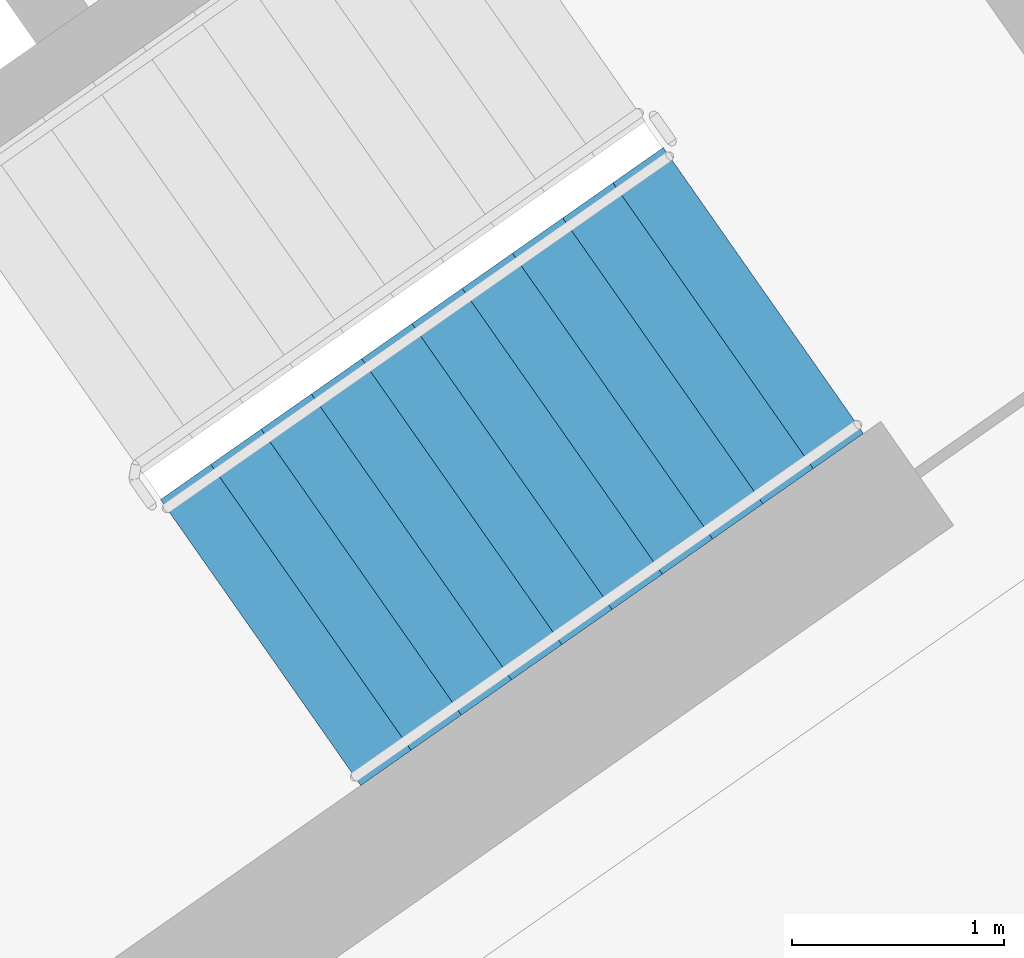
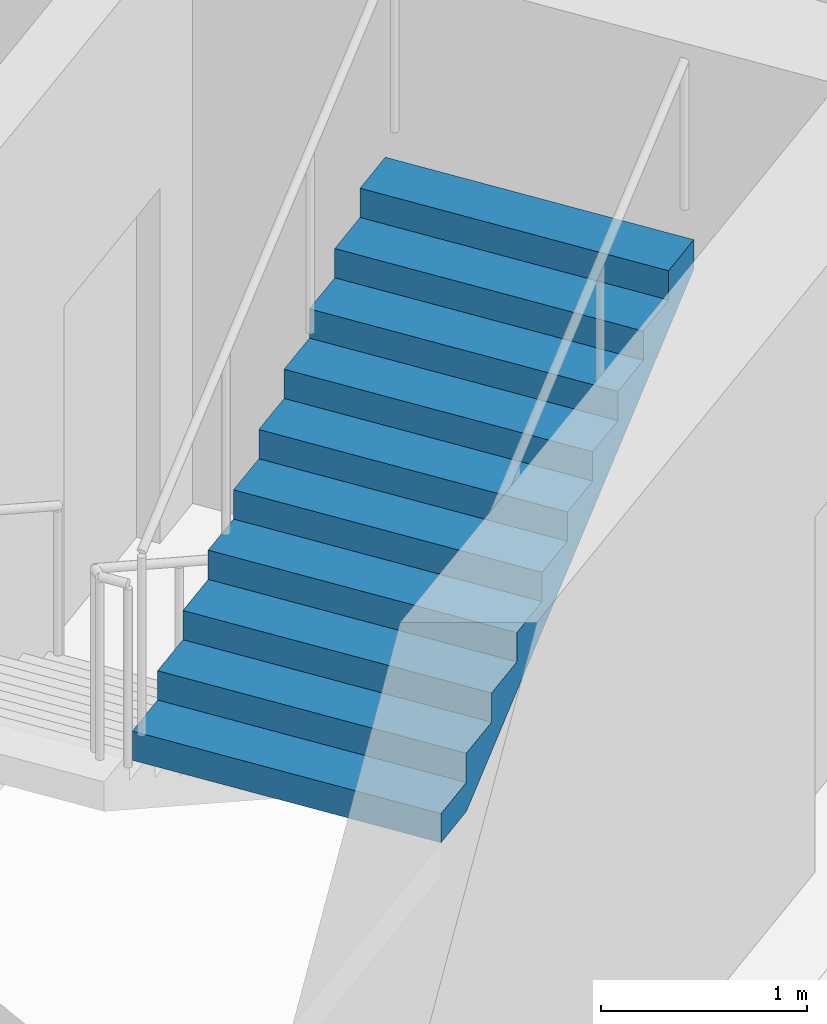
# One storey, part 13 of 26: 1 stair flight, 1 element without a shape of its own.
"""IFC4 building model written with IfcOpenShell, lengths in metres."""

from ifc_helpers import new_model, si_unit, direction, frame, origin, place, context, subcontext, project, spatial, faceted_brep, material, type_object, element, aggregate, save


model = new_model("IFC4")

# Units and contexts
model_context = context("Model", 3, precision=1e-05, world=origin(), true_north=direction((0.0, 1.0)))
body_context = subcontext(model_context, "Body", "Model", "MODEL_VIEW")
ifc_project = project(units=[si_unit("LENGTHUNIT", "METRE"), si_unit("AREAUNIT", "SQUARE_METRE"), si_unit("VOLUMEUNIT", "CUBIC_METRE"), si_unit("PLANEANGLEUNIT", "RADIAN"), si_unit("MASSUNIT", "GRAM", prefix="KILO")], contexts=[model_context])

# Site, building, storey
site_placement = place(None, origin())
site = spatial("IfcSite", under=ifc_project, at=site_placement, CompositionType="ELEMENT")
building_placement = place(site_placement, origin())
building = spatial("IfcBuilding", under=site, at=building_placement, Name="Qamariyya Broadcast Tower", CompositionType="ELEMENT")
storey_placement = place(building_placement, frame((0.0, 0.0, 160.699951171875)))
storey = spatial("IfcBuildingStorey", under=building, at=storey_placement, Name="L37", CompositionType="ELEMENT", Elevation=160.699951171875)

# Stair, stair flight
ifc_material = material(Name="Concrete C50/60", Category="concrete")
stair_type = type_object("IfcStairType", Name="Exit stair 22 risers of 173 mm", PredefinedType="HALF_TURN_STAIR", material=ifc_material)
stair_placement = place(storey_placement, origin())
stair = element("IfcStair", 1, at=stair_placement, inside=storey, type_object=stair_type, Name="L37 Stair E1", PredefinedType="HALF_TURN_STAIR")
stair_flight_type = type_object("IfcStairFlightType", Name="Exit stair flight 11 risers of 173 mm", PredefinedType="STRAIGHT", material=ifc_material)
stair_flight_placement = place(storey_placement, frame((44.693359375, -58.64599609375, 1.900146484375), z_axis=(0.0, 0.0, 1.0), x_axis=(0.819152044289, 0.573576436351, 0.0)))
stair_flight = element("IfcStairFlight", 2, at=stair_flight_placement, type_object=stair_flight_type, Name="ST-E1 flight 2", NumberOfRisers=11, NumberOfTreads=10, PredefinedType="STRAIGHT", RiserHeight=0.172727273, TreadLength=0.29, context=body_context, shape_type="Brep", body=[
    faceted_brep([(0.0, 0.824951171875, 0.0), (0.0, 0.824951171875, 0.172607421875), (0.2900390625, 0.824951171875, 0.172607421875), (0.2900390625, 0.824951171875, 0.345458984375), (0.580078125, 0.824951171875, 0.345458984375), (0.580078125, 0.824951171875, 0.51806640625), (0.8701171875, 0.824951171875, 0.51806640625), (0.8701171875, 0.824951171875, 0.69091796875), (1.159912109375, 0.824951171875, 0.69091796875), (1.159912109375, 0.824951171875, 0.863525390625), (1.449951171875, 0.824951171875, 0.863525390625), (1.449951171875, 0.824951171875, 1.036376953125), (1.739990234375, 0.824951171875, 1.036376953125), (1.739990234375, 0.824951171875, 1.208984375), (2.030029296875, 0.824951171875, 1.208984375), (2.030029296875, 0.824951171875, 1.3818359375), (2.320068359375, 0.824951171875, 1.3818359375), (2.320068359375, 0.824951171875, 1.554443359375), (2.610107421875, 0.824951171875, 1.554443359375), (2.610107421875, 0.824951171875, 1.727294921875), (2.89990234375, 0.824951171875, 1.727294921875), (2.89990234375, 0.824951171875, 1.552734375), (0.29296875, 0.824951171875, 0.0), (0.29296875, -0.824951171875, 0.0), (2.89990234375, -0.824951171875, 1.552734375), (2.89990234375, -0.824951171875, 1.727294921875), (2.610107421875, -0.824951171875, 1.727294921875), (2.610107421875, -0.824951171875, 1.554443359375), (2.320068359375, -0.824951171875, 1.554443359375), (2.320068359375, -0.824951171875, 1.3818359375), (2.030029296875, -0.824951171875, 1.3818359375), (2.030029296875, -0.824951171875, 1.208984375), (1.739990234375, -0.824951171875, 1.208984375), (1.739990234375, -0.824951171875, 1.036376953125), (1.449951171875, -0.824951171875, 1.036376953125), (1.449951171875, -0.824951171875, 0.863525390625), (1.159912109375, -0.824951171875, 0.863525390625), (1.159912109375, -0.824951171875, 0.69091796875), (0.8701171875, -0.824951171875, 0.69091796875), (0.8701171875, -0.824951171875, 0.51806640625), (0.580078125, -0.824951171875, 0.51806640625), (0.580078125, -0.824951171875, 0.345458984375), (0.2900390625, -0.824951171875, 0.345458984375), (0.2900390625, -0.824951171875, 0.172607421875), (0.0, -0.824951171875, 0.172607421875), (0.0, -0.824951171875, 0.0), (0.0, 0.10009765625, 0.0), (0.0, 0.086669921875, 0.0), (0.0, 0.0732421875, 0.0), (0.0, 0.06005859375, 0.0), (0.0, 0.046630859375, 0.0), (0.0, 0.033447265625, 0.0), (0.0, 0.02001953125, 0.0), (0.0, 0.006591796875, 0.0), (0.0, -0.006591796875, 0.0), (0.0, -0.02001953125, 0.0), (0.0, -0.033447265625, 0.0), (0.0, -0.046630859375, 0.0), (0.0, -0.06005859375, 0.0), (0.0, -0.0732421875, 0.0), (0.0, -0.086669921875, 0.0), (0.0, -0.10009765625, 0.0), (0.0, -0.10009765625, 0.172607421875), (0.0, -0.086669921875, 0.172607421875), (0.0, -0.0732421875, 0.172607421875), (0.0, -0.06005859375, 0.172607421875), (0.0, -0.046630859375, 0.172607421875), (0.0, -0.033447265625, 0.172607421875), (0.0, -0.02001953125, 0.172607421875), (0.0, -0.006591796875, 0.172607421875), (0.0, 0.006591796875, 0.172607421875), (0.0, 0.02001953125, 0.172607421875), (0.0, 0.033447265625, 0.172607421875), (0.0, 0.046630859375, 0.172607421875), (0.0, 0.06005859375, 0.172607421875), (0.0, 0.0732421875, 0.172607421875), (0.0, 0.086669921875, 0.172607421875), (0.0, 0.10009765625, 0.172607421875), (0.2900390625, -0.10009765625, 0.172607421875), (0.2900390625, -0.086669921875, 0.172607421875), (0.2900390625, -0.0732421875, 0.172607421875), (0.2900390625, -0.06005859375, 0.172607421875), (0.2900390625, -0.046630859375, 0.172607421875), (0.2900390625, -0.033447265625, 0.172607421875), (0.2900390625, -0.02001953125, 0.172607421875), (0.2900390625, -0.006591796875, 0.172607421875), (0.2900390625, 0.006591796875, 0.172607421875), (0.2900390625, 0.02001953125, 0.172607421875), (0.2900390625, 0.033447265625, 0.172607421875), (0.2900390625, 0.046630859375, 0.172607421875), (0.2900390625, 0.06005859375, 0.172607421875), (0.2900390625, 0.0732421875, 0.172607421875), (0.2900390625, 0.086669921875, 0.172607421875), (0.2900390625, 0.10009765625, 0.172607421875), (0.2900390625, -0.10009765625, 0.345458984375), (0.2900390625, -0.086669921875, 0.345458984375), (0.2900390625, -0.0732421875, 0.345458984375), (0.2900390625, -0.06005859375, 0.345458984375), (0.2900390625, -0.046630859375, 0.345458984375), (0.2900390625, -0.033447265625, 0.345458984375), (0.2900390625, -0.02001953125, 0.345458984375), (0.2900390625, -0.006591796875, 0.345458984375), (0.2900390625, 0.006591796875, 0.345458984375), (0.2900390625, 0.02001953125, 0.345458984375), (0.2900390625, 0.033447265625, 0.345458984375), (0.2900390625, 0.046630859375, 0.345458984375), (0.2900390625, 0.06005859375, 0.345458984375), (0.2900390625, 0.0732421875, 0.345458984375), (0.2900390625, 0.086669921875, 0.345458984375), (0.2900390625, 0.10009765625, 0.345458984375), (0.580078125, -0.10009765625, 0.345458984375), (0.580078125, -0.086669921875, 0.345458984375), (0.580078125, -0.0732421875, 0.345458984375), (0.580078125, -0.06005859375, 0.345458984375), (0.580078125, -0.046630859375, 0.345458984375), (0.580078125, -0.033447265625, 0.345458984375), (0.580078125, -0.02001953125, 0.345458984375), (0.580078125, -0.006591796875, 0.345458984375), (0.580078125, 0.006591796875, 0.345458984375), (0.580078125, 0.02001953125, 0.345458984375), (0.580078125, 0.033447265625, 0.345458984375), (0.580078125, 0.046630859375, 0.345458984375), (0.580078125, 0.06005859375, 0.345458984375), (0.580078125, 0.0732421875, 0.345458984375), (0.580078125, 0.086669921875, 0.345458984375), (0.580078125, 0.10009765625, 0.345458984375), (0.580078125, -0.10009765625, 0.51806640625), (0.580078125, -0.086669921875, 0.51806640625), (0.580078125, -0.0732421875, 0.51806640625), (0.580078125, -0.06005859375, 0.51806640625), (0.580078125, -0.046630859375, 0.51806640625), (0.580078125, -0.033447265625, 0.51806640625), (0.580078125, -0.02001953125, 0.51806640625), (0.580078125, -0.006591796875, 0.51806640625), (0.580078125, 0.006591796875, 0.51806640625), (0.580078125, 0.02001953125, 0.51806640625), (0.580078125, 0.033447265625, 0.51806640625), (0.580078125, 0.046630859375, 0.51806640625), (0.580078125, 0.06005859375, 0.51806640625), (0.580078125, 0.0732421875, 0.51806640625), (0.580078125, 0.086669921875, 0.51806640625), (0.580078125, 0.10009765625, 0.51806640625), (0.8701171875, -0.10009765625, 0.51806640625), (0.8701171875, -0.086669921875, 0.51806640625), (0.8701171875, -0.0732421875, 0.51806640625), (0.8701171875, -0.06005859375, 0.51806640625), (0.8701171875, -0.046630859375, 0.51806640625), (0.8701171875, -0.033447265625, 0.51806640625), (0.8701171875, -0.02001953125, 0.51806640625), (0.8701171875, -0.006591796875, 0.51806640625), (0.8701171875, 0.006591796875, 0.51806640625), (0.8701171875, 0.02001953125, 0.51806640625), (0.8701171875, 0.033447265625, 0.51806640625), (0.8701171875, 0.046630859375, 0.51806640625), (0.8701171875, 0.06005859375, 0.51806640625), (0.8701171875, 0.0732421875, 0.51806640625), (0.8701171875, 0.086669921875, 0.51806640625), (0.8701171875, 0.10009765625, 0.51806640625), (0.8701171875, -0.10009765625, 0.69091796875), (0.8701171875, -0.086669921875, 0.69091796875), (0.8701171875, -0.0732421875, 0.69091796875), (0.8701171875, -0.06005859375, 0.69091796875), (0.8701171875, -0.046630859375, 0.69091796875), (0.8701171875, -0.033447265625, 0.69091796875), (0.8701171875, -0.02001953125, 0.69091796875), (0.8701171875, -0.006591796875, 0.69091796875), (0.8701171875, 0.006591796875, 0.69091796875), (0.8701171875, 0.02001953125, 0.69091796875), (0.8701171875, 0.033447265625, 0.69091796875), (0.8701171875, 0.046630859375, 0.69091796875), (0.8701171875, 0.06005859375, 0.69091796875), (0.8701171875, 0.0732421875, 0.69091796875), (0.8701171875, 0.086669921875, 0.69091796875), (0.8701171875, 0.10009765625, 0.69091796875), (1.159912109375, -0.10009765625, 0.69091796875), (1.159912109375, -0.086669921875, 0.69091796875), (1.159912109375, -0.0732421875, 0.69091796875), (1.159912109375, -0.06005859375, 0.69091796875), (1.159912109375, -0.046630859375, 0.69091796875), (1.159912109375, -0.033447265625, 0.69091796875), (1.159912109375, -0.02001953125, 0.69091796875), (1.159912109375, -0.006591796875, 0.69091796875), (1.159912109375, 0.006591796875, 0.69091796875), (1.159912109375, 0.02001953125, 0.69091796875), (1.159912109375, 0.033447265625, 0.69091796875), (1.159912109375, 0.046630859375, 0.69091796875), (1.159912109375, 0.06005859375, 0.69091796875), (1.159912109375, 0.0732421875, 0.69091796875), (1.159912109375, 0.086669921875, 0.69091796875), (1.159912109375, 0.10009765625, 0.69091796875), (1.159912109375, -0.10009765625, 0.863525390625), (1.159912109375, -0.086669921875, 0.863525390625), (1.159912109375, -0.0732421875, 0.863525390625), (1.159912109375, -0.06005859375, 0.863525390625), (1.159912109375, -0.046630859375, 0.863525390625), (1.159912109375, -0.033447265625, 0.863525390625), (1.159912109375, -0.02001953125, 0.863525390625), (1.159912109375, -0.006591796875, 0.863525390625), (1.159912109375, 0.006591796875, 0.863525390625), (1.159912109375, 0.02001953125, 0.863525390625), (1.159912109375, 0.033447265625, 0.863525390625), (1.159912109375, 0.046630859375, 0.863525390625), (1.159912109375, 0.06005859375, 0.863525390625), (1.159912109375, 0.0732421875, 0.863525390625), (1.159912109375, 0.086669921875, 0.863525390625), (1.159912109375, 0.10009765625, 0.863525390625), (1.449951171875, -0.10009765625, 0.863525390625), (1.449951171875, -0.086669921875, 0.863525390625), (1.449951171875, -0.0732421875, 0.863525390625), (1.449951171875, -0.06005859375, 0.863525390625), (1.449951171875, -0.046630859375, 0.863525390625), (1.449951171875, -0.033447265625, 0.863525390625), (1.449951171875, -0.02001953125, 0.863525390625), (1.449951171875, -0.006591796875, 0.863525390625), (1.449951171875, 0.006591796875, 0.863525390625), (1.449951171875, 0.02001953125, 0.863525390625), (1.449951171875, 0.033447265625, 0.863525390625), (1.449951171875, 0.046630859375, 0.863525390625), (1.449951171875, 0.06005859375, 0.863525390625), (1.449951171875, 0.0732421875, 0.863525390625), (1.449951171875, 0.086669921875, 0.863525390625), (1.449951171875, 0.10009765625, 0.863525390625), (1.449951171875, -0.10009765625, 1.036376953125), (1.449951171875, -0.086669921875, 1.036376953125), (1.449951171875, -0.0732421875, 1.036376953125), (1.449951171875, -0.06005859375, 1.036376953125), (1.449951171875, -0.046630859375, 1.036376953125), (1.449951171875, -0.033447265625, 1.036376953125), (1.449951171875, -0.02001953125, 1.036376953125), (1.449951171875, -0.006591796875, 1.036376953125), (1.449951171875, 0.006591796875, 1.036376953125), (1.449951171875, 0.02001953125, 1.036376953125), (1.449951171875, 0.033447265625, 1.036376953125), (1.449951171875, 0.046630859375, 1.036376953125), (1.449951171875, 0.06005859375, 1.036376953125), (1.449951171875, 0.0732421875, 1.036376953125), (1.449951171875, 0.086669921875, 1.036376953125), (1.449951171875, 0.10009765625, 1.036376953125), (1.739990234375, -0.10009765625, 1.036376953125), (1.739990234375, -0.086669921875, 1.036376953125), (1.739990234375, -0.0732421875, 1.036376953125), (1.739990234375, -0.06005859375, 1.036376953125), (1.739990234375, -0.046630859375, 1.036376953125), (1.739990234375, -0.033447265625, 1.036376953125), (1.739990234375, -0.02001953125, 1.036376953125), (1.739990234375, -0.006591796875, 1.036376953125), (1.739990234375, 0.006591796875, 1.036376953125), (1.739990234375, 0.02001953125, 1.036376953125), (1.739990234375, 0.033447265625, 1.036376953125), (1.739990234375, 0.046630859375, 1.036376953125), (1.739990234375, 0.06005859375, 1.036376953125), (1.739990234375, 0.0732421875, 1.036376953125), (1.739990234375, 0.086669921875, 1.036376953125), (1.739990234375, 0.10009765625, 1.036376953125), (1.739990234375, -0.10009765625, 1.208984375), (1.739990234375, -0.086669921875, 1.208984375), (1.739990234375, -0.0732421875, 1.208984375), (1.739990234375, -0.06005859375, 1.208984375), (1.739990234375, -0.046630859375, 1.208984375), (1.739990234375, -0.033447265625, 1.208984375), (1.739990234375, -0.02001953125, 1.208984375), (1.739990234375, -0.006591796875, 1.208984375), (1.739990234375, 0.006591796875, 1.208984375), (1.739990234375, 0.02001953125, 1.208984375), (1.739990234375, 0.033447265625, 1.208984375), (1.739990234375, 0.046630859375, 1.208984375), (1.739990234375, 0.06005859375, 1.208984375), (1.739990234375, 0.0732421875, 1.208984375), (1.739990234375, 0.086669921875, 1.208984375), (1.739990234375, 0.10009765625, 1.208984375), (2.030029296875, -0.10009765625, 1.208984375), (2.030029296875, -0.086669921875, 1.208984375), (2.030029296875, -0.0732421875, 1.208984375), (2.030029296875, -0.06005859375, 1.208984375), (2.030029296875, -0.046630859375, 1.208984375), (2.030029296875, -0.033447265625, 1.208984375), (2.030029296875, -0.02001953125, 1.208984375), (2.030029296875, -0.006591796875, 1.208984375), (2.030029296875, 0.006591796875, 1.208984375), (2.030029296875, 0.02001953125, 1.208984375), (2.030029296875, 0.033447265625, 1.208984375), (2.030029296875, 0.046630859375, 1.208984375), (2.030029296875, 0.06005859375, 1.208984375), (2.030029296875, 0.0732421875, 1.208984375), (2.030029296875, 0.086669921875, 1.208984375), (2.030029296875, 0.10009765625, 1.208984375), (2.030029296875, -0.10009765625, 1.3818359375), (2.030029296875, -0.086669921875, 1.3818359375), (2.030029296875, -0.0732421875, 1.3818359375), (2.030029296875, -0.06005859375, 1.3818359375), (2.030029296875, -0.046630859375, 1.3818359375), (2.030029296875, -0.033447265625, 1.3818359375), (2.030029296875, -0.02001953125, 1.3818359375), (2.030029296875, -0.006591796875, 1.3818359375), (2.030029296875, 0.006591796875, 1.3818359375), (2.030029296875, 0.02001953125, 1.3818359375), (2.030029296875, 0.033447265625, 1.3818359375), (2.030029296875, 0.046630859375, 1.3818359375), (2.030029296875, 0.06005859375, 1.3818359375), (2.030029296875, 0.0732421875, 1.3818359375), (2.030029296875, 0.086669921875, 1.3818359375), (2.030029296875, 0.10009765625, 1.3818359375), (2.320068359375, -0.10009765625, 1.3818359375), (2.320068359375, -0.086669921875, 1.3818359375), (2.320068359375, -0.0732421875, 1.3818359375), (2.320068359375, -0.06005859375, 1.3818359375), (2.320068359375, -0.046630859375, 1.3818359375), (2.320068359375, -0.033447265625, 1.3818359375), (2.320068359375, -0.02001953125, 1.3818359375), (2.320068359375, -0.006591796875, 1.3818359375), (2.320068359375, 0.006591796875, 1.3818359375), (2.320068359375, 0.02001953125, 1.3818359375), (2.320068359375, 0.033447265625, 1.3818359375), (2.320068359375, 0.046630859375, 1.3818359375), (2.320068359375, 0.06005859375, 1.3818359375), (2.320068359375, 0.0732421875, 1.3818359375), (2.320068359375, 0.086669921875, 1.3818359375), (2.320068359375, 0.10009765625, 1.3818359375), (2.320068359375, -0.10009765625, 1.554443359375), (2.320068359375, -0.086669921875, 1.554443359375), (2.320068359375, -0.0732421875, 1.554443359375), (2.320068359375, -0.06005859375, 1.554443359375), (2.320068359375, -0.046630859375, 1.554443359375), (2.320068359375, -0.033447265625, 1.554443359375), (2.320068359375, -0.02001953125, 1.554443359375), (2.320068359375, -0.006591796875, 1.554443359375), (2.320068359375, 0.006591796875, 1.554443359375), (2.320068359375, 0.02001953125, 1.554443359375), (2.320068359375, 0.033447265625, 1.554443359375), (2.320068359375, 0.046630859375, 1.554443359375), (2.320068359375, 0.06005859375, 1.554443359375), (2.320068359375, 0.0732421875, 1.554443359375), (2.320068359375, 0.086669921875, 1.554443359375), (2.320068359375, 0.10009765625, 1.554443359375), (2.610107421875, -0.10009765625, 1.554443359375), (2.610107421875, -0.086669921875, 1.554443359375), (2.610107421875, -0.0732421875, 1.554443359375), (2.610107421875, -0.06005859375, 1.554443359375), (2.610107421875, -0.046630859375, 1.554443359375), (2.610107421875, -0.033447265625, 1.554443359375), (2.610107421875, -0.02001953125, 1.554443359375), (2.610107421875, -0.006591796875, 1.554443359375), (2.610107421875, 0.006591796875, 1.554443359375), (2.610107421875, 0.02001953125, 1.554443359375), (2.610107421875, 0.033447265625, 1.554443359375), (2.610107421875, 0.046630859375, 1.554443359375), (2.610107421875, 0.06005859375, 1.554443359375), (2.610107421875, 0.0732421875, 1.554443359375), (2.610107421875, 0.086669921875, 1.554443359375), (2.610107421875, 0.10009765625, 1.554443359375), (2.610107421875, -0.10009765625, 1.727294921875), (2.610107421875, -0.086669921875, 1.727294921875), (2.610107421875, -0.0732421875, 1.727294921875), (2.610107421875, -0.06005859375, 1.727294921875), (2.610107421875, -0.046630859375, 1.727294921875), (2.610107421875, -0.033447265625, 1.727294921875), (2.610107421875, -0.02001953125, 1.727294921875), (2.610107421875, -0.006591796875, 1.727294921875), (2.610107421875, 0.006591796875, 1.727294921875), (2.610107421875, 0.02001953125, 1.727294921875), (2.610107421875, 0.033447265625, 1.727294921875), (2.610107421875, 0.046630859375, 1.727294921875), (2.610107421875, 0.06005859375, 1.727294921875), (2.610107421875, 0.0732421875, 1.727294921875), (2.610107421875, 0.086669921875, 1.727294921875), (2.610107421875, 0.10009765625, 1.727294921875), (2.89990234375, -0.10009765625, 1.727294921875), (2.89990234375, -0.086669921875, 1.727294921875), (2.89990234375, -0.0732421875, 1.727294921875), (2.89990234375, -0.06005859375, 1.727294921875), (2.89990234375, -0.046630859375, 1.727294921875), (2.89990234375, -0.033447265625, 1.727294921875), (2.89990234375, -0.02001953125, 1.727294921875), (2.89990234375, -0.006591796875, 1.727294921875), (2.89990234375, 0.006591796875, 1.727294921875), (2.89990234375, 0.02001953125, 1.727294921875), (2.89990234375, 0.033447265625, 1.727294921875), (2.89990234375, 0.046630859375, 1.727294921875), (2.89990234375, 0.06005859375, 1.727294921875), (2.89990234375, 0.0732421875, 1.727294921875), (2.89990234375, 0.086669921875, 1.727294921875), (2.89990234375, 0.10009765625, 1.727294921875), (2.89990234375, -0.10009765625, 1.552734375), (2.89990234375, -0.086669921875, 1.552734375), (2.89990234375, -0.0732421875, 1.552734375), (2.89990234375, -0.06005859375, 1.552734375), (2.89990234375, -0.046630859375, 1.552734375), (2.89990234375, -0.033447265625, 1.552734375), (2.89990234375, -0.02001953125, 1.552734375), (2.89990234375, -0.006591796875, 1.552734375), (2.89990234375, 0.006591796875, 1.552734375), (2.89990234375, 0.02001953125, 1.552734375), (2.89990234375, 0.033447265625, 1.552734375), (2.89990234375, 0.046630859375, 1.552734375), (2.89990234375, 0.06005859375, 1.552734375), (2.89990234375, 0.0732421875, 1.552734375), (2.89990234375, 0.086669921875, 1.552734375), (2.89990234375, 0.10009765625, 1.552734375), (0.29296875, -0.10009765625, 0.0), (0.29296875, -0.086669921875, 0.0), (0.29296875, -0.0732421875, 0.0), (0.29296875, -0.06005859375, 0.0), (0.29296875, -0.046630859375, 0.0), (0.29296875, -0.033447265625, 0.0), (0.29296875, -0.02001953125, 0.0), (0.29296875, -0.006591796875, 0.0), (0.29296875, 0.006591796875, 0.0), (0.29296875, 0.02001953125, 0.0), (0.29296875, 0.033447265625, 0.0), (0.29296875, 0.046630859375, 0.0), (0.29296875, 0.06005859375, 0.0), (0.29296875, 0.0732421875, 0.0), (0.29296875, 0.086669921875, 0.0), (0.29296875, 0.10009765625, 0.0)], [[[0, 1, 2, 3, 4, 5, 6, 7, 8, 9, 10, 11, 12, 13, 14, 15, 16, 17, 18, 19, 20, 21, 22]], [[23, 24, 25, 26, 27, 28, 29, 30, 31, 32, 33, 34, 35, 36, 37, 38, 39, 40, 41, 42, 43, 44, 45]], [[0, 46, 47, 48, 49, 50, 51, 52, 53, 54, 55, 56, 57, 58, 59, 60, 61, 45, 44, 62, 63, 64, 65, 66, 67, 68, 69, 70, 71, 72, 73, 74, 75, 76, 77, 1]], [[1, 77, 76, 75, 74, 73, 72, 71, 70, 69, 68, 67, 66, 65, 64, 63, 62, 44, 43, 78, 79, 80, 81, 82, 83, 84, 85, 86, 87, 88, 89, 90, 91, 92, 93, 2]], [[2, 93, 92, 91, 90, 89, 88, 87, 86, 85, 84, 83, 82, 81, 80, 79, 78, 43, 42, 94, 95, 96, 97, 98, 99, 100, 101, 102, 103, 104, 105, 106, 107, 108, 109, 3]], [[3, 109, 108, 107, 106, 105, 104, 103, 102, 101, 100, 99, 98, 97, 96, 95, 94, 42, 41, 110, 111, 112, 113, 114, 115, 116, 117, 118, 119, 120, 121, 122, 123, 124, 125, 4]], [[4, 125, 124, 123, 122, 121, 120, 119, 118, 117, 116, 115, 114, 113, 112, 111, 110, 41, 40, 126, 127, 128, 129, 130, 131, 132, 133, 134, 135, 136, 137, 138, 139, 140, 141, 5]], [[5, 141, 140, 139, 138, 137, 136, 135, 134, 133, 132, 131, 130, 129, 128, 127, 126, 40, 39, 142, 143, 144, 145, 146, 147, 148, 149, 150, 151, 152, 153, 154, 155, 156, 157, 6]], [[6, 157, 156, 155, 154, 153, 152, 151, 150, 149, 148, 147, 146, 145, 144, 143, 142, 39, 38, 158, 159, 160, 161, 162, 163, 164, 165, 166, 167, 168, 169, 170, 171, 172, 173, 7]], [[7, 173, 172, 171, 170, 169, 168, 167, 166, 165, 164, 163, 162, 161, 160, 159, 158, 38, 37, 174, 175, 176, 177, 178, 179, 180, 181, 182, 183, 184, 185, 186, 187, 188, 189, 8]], [[8, 189, 188, 187, 186, 185, 184, 183, 182, 181, 180, 179, 178, 177, 176, 175, 174, 37, 36, 190, 191, 192, 193, 194, 195, 196, 197, 198, 199, 200, 201, 202, 203, 204, 205, 9]], [[9, 205, 204, 203, 202, 201, 200, 199, 198, 197, 196, 195, 194, 193, 192, 191, 190, 36, 35, 206, 207, 208, 209, 210, 211, 212, 213, 214, 215, 216, 217, 218, 219, 220, 221, 10]], [[10, 221, 220, 219, 218, 217, 216, 215, 214, 213, 212, 211, 210, 209, 208, 207, 206, 35, 34, 222, 223, 224, 225, 226, 227, 228, 229, 230, 231, 232, 233, 234, 235, 236, 237, 11]], [[11, 237, 236, 235, 234, 233, 232, 231, 230, 229, 228, 227, 226, 225, 224, 223, 222, 34, 33, 238, 239, 240, 241, 242, 243, 244, 245, 246, 247, 248, 249, 250, 251, 252, 253, 12]], [[12, 253, 252, 251, 250, 249, 248, 247, 246, 245, 244, 243, 242, 241, 240, 239, 238, 33, 32, 254, 255, 256, 257, 258, 259, 260, 261, 262, 263, 264, 265, 266, 267, 268, 269, 13]], [[13, 269, 268, 267, 266, 265, 264, 263, 262, 261, 260, 259, 258, 257, 256, 255, 254, 32, 31, 270, 271, 272, 273, 274, 275, 276, 277, 278, 279, 280, 281, 282, 283, 284, 285, 14]], [[14, 285, 284, 283, 282, 281, 280, 279, 278, 277, 276, 275, 274, 273, 272, 271, 270, 31, 30, 286, 287, 288, 289, 290, 291, 292, 293, 294, 295, 296, 297, 298, 299, 300, 301, 15]], [[15, 301, 300, 299, 298, 297, 296, 295, 294, 293, 292, 291, 290, 289, 288, 287, 286, 30, 29, 302, 303, 304, 305, 306, 307, 308, 309, 310, 311, 312, 313, 314, 315, 316, 317, 16]], [[16, 317, 316, 315, 314, 313, 312, 311, 310, 309, 308, 307, 306, 305, 304, 303, 302, 29, 28, 318, 319, 320, 321, 322, 323, 324, 325, 326, 327, 328, 329, 330, 331, 332, 333, 17]], [[17, 333, 332, 331, 330, 329, 328, 327, 326, 325, 324, 323, 322, 321, 320, 319, 318, 28, 27, 334, 335, 336, 337, 338, 339, 340, 341, 342, 343, 344, 345, 346, 347, 348, 349, 18]], [[18, 349, 348, 347, 346, 345, 344, 343, 342, 341, 340, 339, 338, 337, 336, 335, 334, 27, 26, 350, 351, 352, 353, 354, 355, 356, 357, 358, 359, 360, 361, 362, 363, 364, 365, 19]], [[19, 365, 364, 363, 362, 361, 360, 359, 358, 357, 356, 355, 354, 353, 352, 351, 350, 26, 25, 366, 367, 368, 369, 370, 371, 372, 373, 374, 375, 376, 377, 378, 379, 380, 381, 20]], [[20, 381, 380, 379, 378, 377, 376, 375, 374, 373, 372, 371, 370, 369, 368, 367, 366, 25, 24, 382, 383, 384, 385, 386, 387, 388, 389, 390, 391, 392, 393, 394, 395, 396, 397, 21]], [[21, 397, 396, 395, 394, 393, 392, 391, 390, 389, 388, 387, 386, 385, 384, 383, 382, 24, 23, 398, 399, 400, 401, 402, 403, 404, 405, 406, 407, 408, 409, 410, 411, 412, 413, 22]], [[22, 413, 412, 411, 410, 409, 408, 407, 406, 405, 404, 403, 402, 401, 400, 399, 398, 23, 45, 61, 60, 59, 58, 57, 56, 55, 54, 53, 52, 51, 50, 49, 48, 47, 46, 0]]]),
])
aggregate(stair, [stair_flight])

save(model, "model.ifc")
